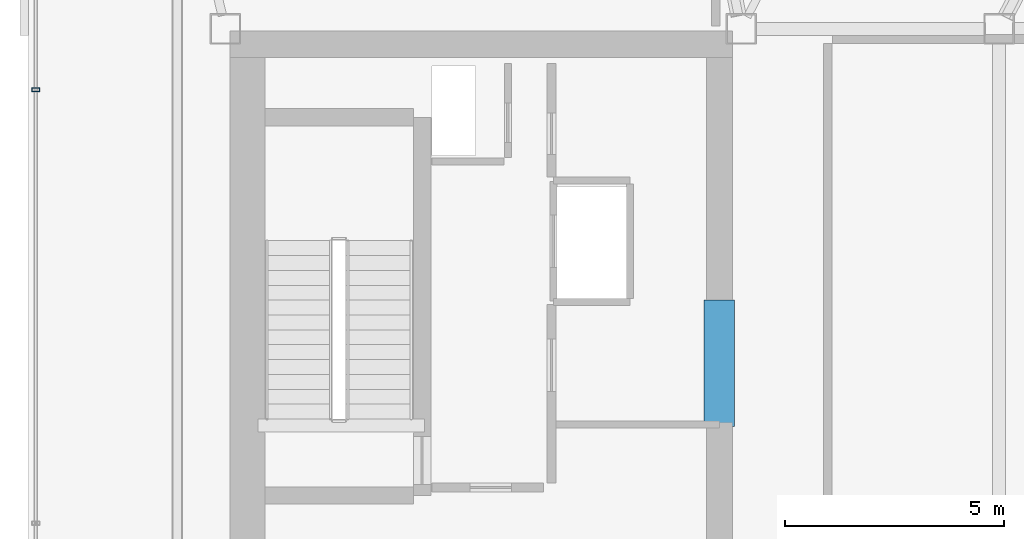
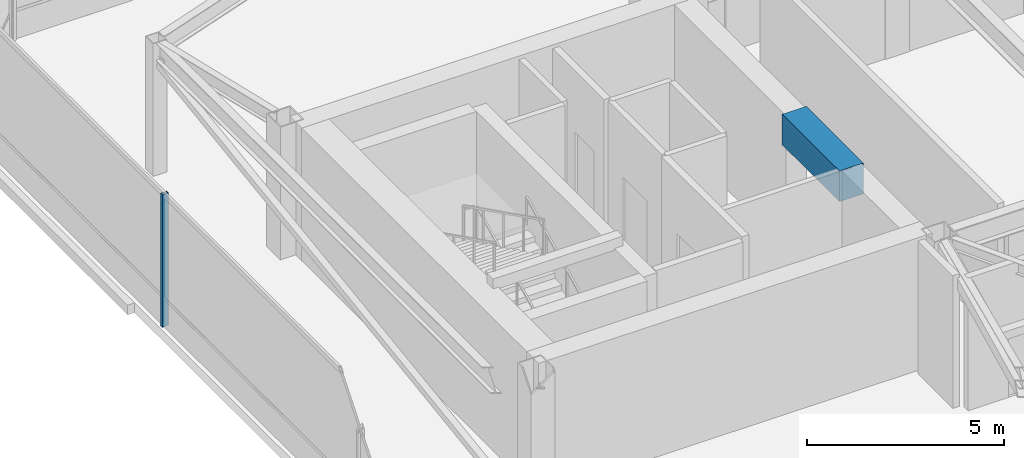
# One storey, part 6 of 21: 1 beam, 1 member, 1 element without a shape of its own.
"""IFC4 building model written with IfcOpenShell, lengths in metres."""

from ifc_helpers import new_model, si_unit, direction, frame, origin, origin_2d, place, context, subcontext, project, spatial, rectangle, hollow_rectangle, extrude, material, layer, layer_set, material_profile, profile_set, type_object, element, aggregate, save


model = new_model("IFC4")

# Units and contexts
model_context = context("Model", 3, precision=1e-05, world=origin(), true_north=direction((0.0, 1.0)))
body_context = subcontext(model_context, "Body", "Model", "MODEL_VIEW")
ifc_project = project(units=[si_unit("LENGTHUNIT", "METRE"), si_unit("AREAUNIT", "SQUARE_METRE"), si_unit("VOLUMEUNIT", "CUBIC_METRE"), si_unit("PLANEANGLEUNIT", "RADIAN"), si_unit("MASSUNIT", "GRAM", prefix="KILO")], contexts=[model_context])

# Site, building, storey
site_placement = place(None, origin())
site = spatial("IfcSite", under=ifc_project, at=site_placement, CompositionType="ELEMENT")
building_placement = place(site_placement, origin())
building = spatial("IfcBuilding", under=site, at=building_placement, Name="Tavrogorsk Clinical Tower", CompositionType="ELEMENT")
storey_placement = place(building_placement, frame((0.0, 0.0, 344.199951171875)))
storey = spatial("IfcBuildingStorey", under=building, at=storey_placement, Name="L80", CompositionType="ELEMENT", Elevation=344.199951171875)

# Beam
ifc_material_1 = material(Name="Concrete B80", Category="concrete")
ifc_material_profile_1 = material_profile(ifc_material_1, rectangle(XDim=0.699951171875, YDim=0.949951171875, at=origin_2d()), Name="RC-CB-700x950")
ifc_profile_set_1 = profile_set([ifc_material_profile_1], Name="Concrete B80")
beam_type = type_object("IfcBeamType", Name="CouplingBeam_RC700x950", PredefinedType="LINTEL", material=ifc_profile_set_1)
beam_placement = place(storey_placement, frame((-10.800048828125, -2.75, 3.625), z_axis=(0.0, 1.0, 0.0), x_axis=(-1.0, 0.0, 0.0)))
element("IfcBeam", 1, at=beam_placement, inside=storey, type_object=beam_type, Name="L80 Core West Coupling Beam", PredefinedType="LINTEL", context=body_context, shape_type="SweptSolid", body=[
    extrude(rectangle(XDim=0.699951171875, YDim=0.949951171875, at=origin_2d()), origin(), (0.0, 0.0, 1.0), 2.89990234375),
])

# Curtain wall, member
ifc_material_2 = material(Name="Anodised aluminium and triple IGU glazing", Category="aluminium")
ifc_layer = layer(ifc_material_2, 0.179931640625)
ifc_layer_set = layer_set([ifc_layer], Name="Anodised aluminium and triple IGU glazing")
curtain_wall_type = type_object("IfcCurtainWallType", Name="CW5_SkyLobby", PredefinedType="NOTDEFINED", material=ifc_layer_set)
curtain_wall_placement = place(storey_placement, origin())
curtain_wall = element("IfcCurtainWall", 2, at=curtain_wall_placement, inside=storey, type_object=curtain_wall_type, Name="L80 Curtain Wall CW-L80-DRUM-2", PredefinedType="NOTDEFINED")
ifc_material_3 = material(Name="Anodised aluminium alloy AW-6060", Category="aluminium")
ifc_material_profile_2 = material_profile(ifc_material_3, hollow_rectangle(XDim=0.090087890625, YDim=0.179931640625, WallThickness=0.00634765625, at=origin_2d()), Name="RHS-180x90x6.3")
ifc_profile_set_2 = profile_set([ifc_material_profile_2], Name="Anodised aluminium alloy AW-6060")
member_type = type_object("IfcMemberType", Name="CwMullion_180x90", PredefinedType="MULLION", material=ifc_profile_set_2)
member_placement = place(storey_placement, frame((-26.43994140625, 4.9580078125, 0.0), z_axis=(0.0, 0.0, 1.0), x_axis=(0.0, 1.0, 0.0)))
member = element("IfcMember", 3, at=member_placement, type_object=member_type, Name="CW-L80-DRUM-2 Mullion 3", PredefinedType="MULLION", context=body_context, shape_type="SweptSolid", body=[
    extrude(hollow_rectangle(XDim=0.090087890625, YDim=0.179931640625, WallThickness=0.00634765625, at=origin_2d()), origin(), (0.0, 0.0, 1.0), 4.10009765625),
])
aggregate(curtain_wall, [member])

save(model, "model.ifc")
